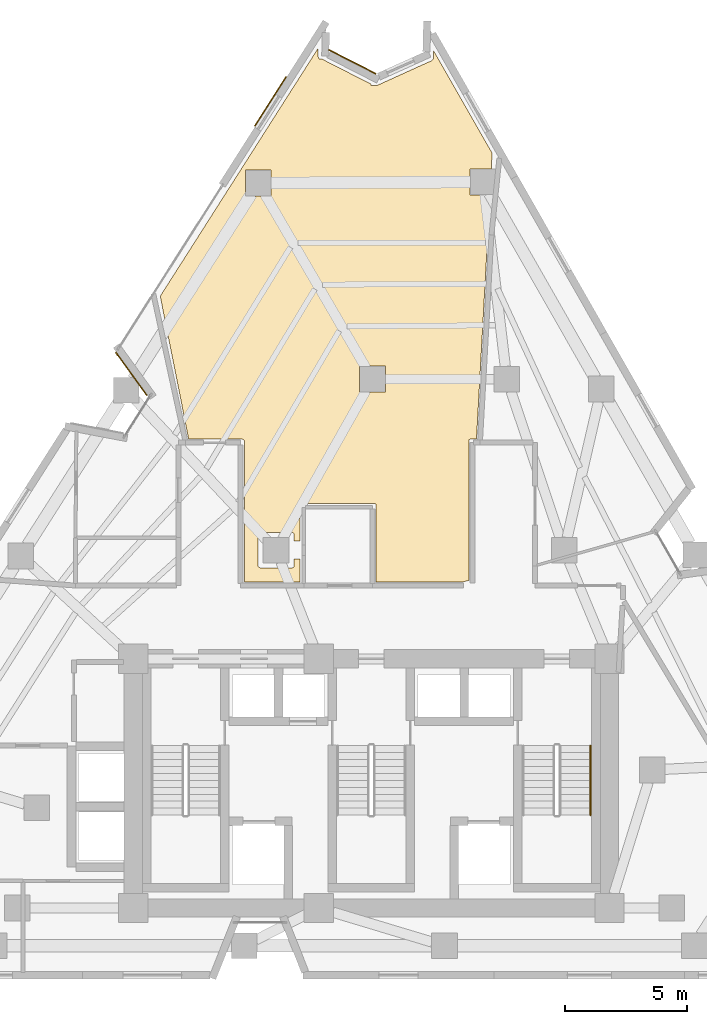
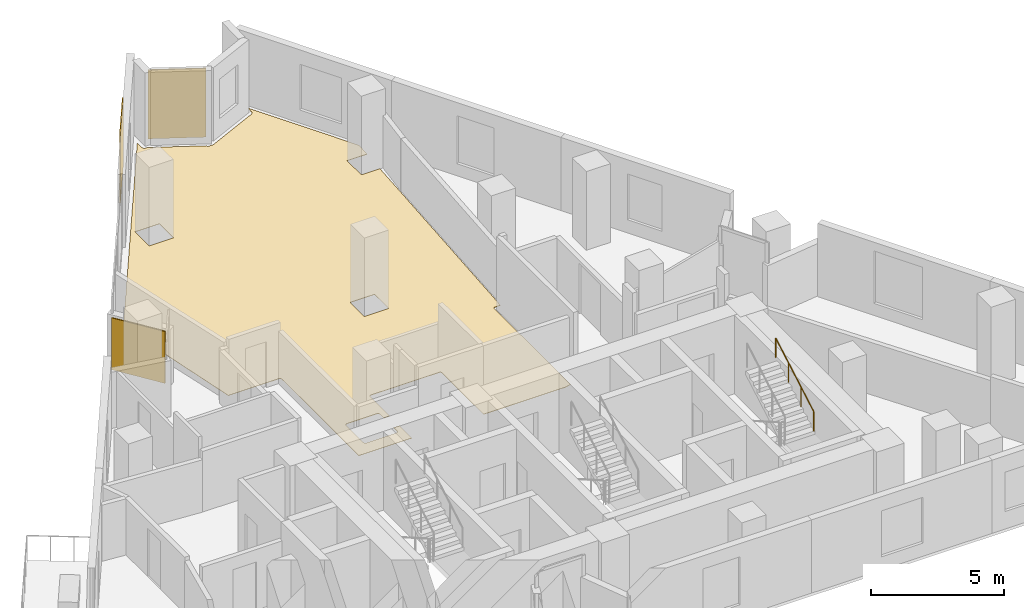
# One storey, part 11 of 11: 4 coverings, 1 railing.
"""IFC4 building model written with IfcOpenShell, lengths in metres."""

import ifcopenshell
import ifcopenshell.guid

model = None  # the IFC model being written
_history = None  # IfcOwnerHistory: only IFC2X3 demands one
_inside = {}  # id of a spatial element -> (the spatial element, [elements in it])
_under = {}  # id of a project, library or spatial element -> (it, [spatial elements below it])
_declared = {}  # id of a project -> (the project, [libraries it declares])
_typed = {}  # id of a type object -> (the type object, [elements of that type])
_made_of = {}  # id of a material, layer set ... -> (it, [elements and type objects made of it])


def new_model(schema):
    """Start an empty IFC model of exactly this schema.

    Asked for "IFC4X3", IfcOpenShell would pick the latest addendum, in which some entities
    have other attributes; the version numbers below select the first issue.
    IFC2X3 requires an IfcOwnerHistory on every rooted entity: one is made here for all.
    """
    global model, _history
    if schema == "IFC4X3":
        model = ifcopenshell.file(schema_version=(4, 3, 0, 0))
    else:
        model = ifcopenshell.file(schema=schema)
    _inside.clear()
    _under.clear()
    _declared.clear()
    _typed.clear()
    _made_of.clear()
    _history = None
    if model.schema == "IFC2X3":
        org = make("IfcOrganization", Name="unknown")
        user = make(
            "IfcPersonAndOrganization",
            ThePerson=make("IfcPerson", FamilyName="unknown"),
            TheOrganization=org,
        )
        app = make(
            "IfcApplication",
            ApplicationDeveloper=org,
            Version="unknown",
            ApplicationFullName="unknown",
            ApplicationIdentifier="unknown",
        )
        _history = make(
            "IfcOwnerHistory",
            OwningUser=user,
            OwningApplication=app,
            ChangeAction="ADDED",
            CreationDate=0,
        )
    return model


def make(cls, **values):
    """One entity of the class cls with the attributes given. An attribute that is None is left unset."""
    return model.create_entity(
        cls, **{name: value for name, value in values.items() if value is not None}
    )


def rooted(cls, **values):
    """An entity with a GlobalId (a new one), such as an element, a storey or a relation."""
    return make(cls, GlobalId=ifcopenshell.guid.new(), OwnerHistory=_history, **values)


def si_unit(unit_type, name, prefix=None):
    """IfcSIUnit, for example si_unit("LENGTHUNIT", "METRE", prefix="MILLI")."""
    return make("IfcSIUnit", UnitType=unit_type, Prefix=prefix, Name=name)


def assignment(units):
    """IfcUnitAssignment: the units of a project."""
    return None if units is None else make("IfcUnitAssignment", Units=units)


def point(xyz):
    """IfcCartesianPoint."""
    return None if xyz is None else make("IfcCartesianPoint", Coordinates=xyz)


def direction(xyz):
    """IfcDirection."""
    return None if xyz is None else make("IfcDirection", DirectionRatios=xyz)


def frame(location, z_axis=None, x_axis=None):
    """IfcAxis2Placement3D, a coordinate frame: its origin and axes. An axis left out is left unset."""
    return make(
        "IfcAxis2Placement3D",
        Location=point(location),
        Axis=direction(z_axis),
        RefDirection=direction(x_axis),
    )


def frame_2d(location, x_axis=None):
    """IfcAxis2Placement2D, a coordinate frame in the plane: its origin and x axis."""
    return make(
        "IfcAxis2Placement2D", Location=point(location), RefDirection=direction(x_axis)
    )


def origin():
    """The frame at (0, 0, 0) with its axes left unset."""
    return frame((0.0, 0.0, 0.0))


def origin_2d():
    """The frame at (0, 0) in the plane with its x axis left unset."""
    return frame_2d((0.0, 0.0))


def place(relative_to, where):
    """IfcLocalPlacement: puts the frame where relative to a parent placement (None: the world)."""
    return make(
        "IfcLocalPlacement", PlacementRelTo=relative_to, RelativePlacement=where
    )


def context(
    kind, dimensions, precision=None, world=None, true_north=None, identifier=None
):
    """IfcGeometricRepresentationContext, for example the 3D "Model" context."""
    return make(
        "IfcGeometricRepresentationContext",
        ContextIdentifier=identifier,
        ContextType=kind,
        CoordinateSpaceDimension=dimensions,
        Precision=precision,
        WorldCoordinateSystem=world,
        TrueNorth=true_north,
    )


def subcontext(parent, identifier, kind, view, scale=None):
    """IfcGeometricRepresentationSubContext, for example "Body" below "Model"."""
    return make(
        "IfcGeometricRepresentationSubContext",
        ContextIdentifier=identifier,
        ContextType=kind,
        ParentContext=parent,
        TargetScale=scale,
        TargetView=view,
    )


def project(units=None, contexts=None):
    """IfcProject with its units and contexts."""
    return rooted(
        "IfcProject",
        Name="project",
        RepresentationContexts=contexts,
        UnitsInContext=assignment(units),
    )


def spatial(cls, under=None, at=None, **own):
    """A site, building, storey or space (cls), placed at a placement, below another one or the project."""
    s = rooted(cls, ObjectPlacement=at, **own)
    if under is not None:
        _under.setdefault(under.id(), (under, []))[1].append(s)
    return s


def polyline(points):
    """IfcPolyline through the points."""
    return make("IfcPolyline", Points=[point(p) for p in points])


def profile(cls, at=None, kind="AREA", **sizes):
    """A parametric profile (cls). Its sizes go by their IFC names, for example OverallWidth=200.0."""
    return make(cls, ProfileType=kind, Position=at, **sizes)


def rectangle(**sizes):
    """IfcRectangleProfileDef."""
    return profile("IfcRectangleProfileDef", **sizes)


def circle(**sizes):
    """IfcCircleProfileDef."""
    return profile("IfcCircleProfileDef", **sizes)


def outline(outer, holes=None, kind="AREA"):
    """IfcArbitraryClosedProfileDef: a profile drawn as a closed curve; with holes, ...WithVoids."""
    if holes is None:
        return make("IfcArbitraryClosedProfileDef", ProfileType=kind, OuterCurve=outer)
    return make(
        "IfcArbitraryProfileDefWithVoids",
        ProfileType=kind,
        OuterCurve=outer,
        InnerCurves=holes,
    )


def extrude(swept, where, along, depth):
    """IfcExtrudedAreaSolid: the profile swept, set in the frame where, extruded along a direction by depth."""
    return make(
        "IfcExtrudedAreaSolid",
        SweptArea=swept,
        Position=where,
        ExtrudedDirection=direction(along),
        Depth=depth,
    )


def shape(context_of_items, identifier, shape_type, items):
    """IfcShapeRepresentation: the items that make up one representation, for example the "Body"."""
    return make(
        "IfcShapeRepresentation",
        ContextOfItems=context_of_items,
        RepresentationIdentifier=identifier,
        RepresentationType=shape_type,
        Items=items,
    )


def material(Name=None, Category=None):
    """IfcMaterial."""
    return make("IfcMaterial", Name=Name, Category=Category)


def layer(
    of_material, thickness, ventilated=None, Name=None, Category=None, Priority=None
):
    """IfcMaterialLayer: one layer of a wall or slab, of a material (None: an air gap)."""
    return make(
        "IfcMaterialLayer",
        Material=of_material,
        LayerThickness=thickness,
        IsVentilated=ventilated,
        Name=Name,
        Category=Category,
        Priority=Priority,
    )


def layer_set(layers, Name=None):
    """IfcMaterialLayerSet."""
    return make("IfcMaterialLayerSet", MaterialLayers=layers, LayerSetName=Name)


def made_of(thing, what):
    """Note that an element or type object is made of a material, layer set ...; save() writes the relation."""
    if what is not None:
        _made_of.setdefault(what.id(), (what, []))[1].append(thing)
    return thing


def type_object(cls, material=None, **own):
    """A type object (cls), such as IfcWallType, which elements share."""
    return made_of(rooted(cls, **own), material)


def element(
    cls,
    number,
    at=None,
    inside=None,
    cuts=None,
    type_object=None,
    material=None,
    context=None,
    identifier="Body",
    shape_type=None,
    held_by="IfcProductDefinitionShape",
    body=None,
    shapes=None,
    **own,
):
    """One element of the class cls, such as IfcWall. Its Tag is "e" and its number.

    at: its placement. inside: the storey or other place that contains it. cuts: it is an
    opening in that element (IfcRelVoidsElement). A single representation is given by context,
    identifier, shape_type and body (its items); several are given by shapes. held_by: the class
    of the entity that holds the representations. save() writes the other relations.
    """
    e = rooted(cls, Tag="e%d" % number, ObjectPlacement=at, **own)
    if body is not None:
        shapes = [shape(context, identifier, shape_type, body)]
    if shapes is not None:
        e.Representation = make(held_by, Representations=shapes)
    if inside is not None:
        _inside.setdefault(inside.id(), (inside, []))[1].append(e)
    if cuts is not None:
        rooted(
            "IfcRelVoidsElement", RelatingBuildingElement=cuts, RelatedOpeningElement=e
        )
    if type_object is not None:
        _typed.setdefault(type_object.id(), (type_object, []))[1].append(e)
    return made_of(e, material)


def aggregate(whole, parts):
    """IfcRelAggregates: a whole, such as a stair, and the parts it consists of."""
    return rooted("IfcRelAggregates", RelatingObject=whole, RelatedObjects=parts)


def save(model, path):
    """Write the relations noted so far, then the file.

    IfcRelAggregates (storeys below a building ...), IfcRelContainedInSpatialStructure (elements
    in a storey), IfcRelDefinesByType, IfcRelAssociatesMaterial and IfcRelDeclares: one each for
    every whole, place, type object, material and project.
    """
    for whole, parts in _under.values():
        aggregate(whole, parts)
    for where, things in _inside.values():
        rooted(
            "IfcRelContainedInSpatialStructure",
            RelatedElements=things,
            RelatingStructure=where,
        )
    for kind, things in _typed.values():
        rooted("IfcRelDefinesByType", RelatedObjects=things, RelatingType=kind)
    for what, things in _made_of.values():
        rooted("IfcRelAssociatesMaterial", RelatedObjects=things, RelatingMaterial=what)
    for by, libraries in _declared.values():
        rooted("IfcRelDeclares", RelatingContext=by, RelatedDefinitions=libraries)
    model.write(path)


model = new_model("IFC4")

# Units and contexts
model_context = context("Model", 3, precision=1e-05, world=origin(), true_north=direction((0.0, 1.0)))
body_context = subcontext(model_context, "Body", "Model", "MODEL_VIEW")
ifc_project = project(units=[si_unit("LENGTHUNIT", "METRE"), si_unit("AREAUNIT", "SQUARE_METRE"), si_unit("VOLUMEUNIT", "CUBIC_METRE"), si_unit("PLANEANGLEUNIT", "RADIAN"), si_unit("MASSUNIT", "GRAM", prefix="KILO")], contexts=[model_context])

# Site, building, storey
site_placement = place(None, origin())
site = spatial("IfcSite", under=ifc_project, at=site_placement, CompositionType="ELEMENT")
building_placement = place(site_placement, origin())
building = spatial("IfcBuilding", under=site, at=building_placement, Name="Almagre Mirador Tower", CompositionType="ELEMENT")
storey_placement = place(building_placement, frame((0.0, 0.0, 142.800048828125)))
storey = spatial("IfcBuildingStorey", under=building, at=storey_placement, Name="L36", CompositionType="ELEMENT", Elevation=142.800048828125)

# Coverings
ifc_material_1 = material(Name="Almagre terracotta architectural cladding", Category="masonry")
ifc_layer_1 = layer(ifc_material_1, 0.044921875)
ifc_layer_set_1 = layer_set([ifc_layer_1], Name="Almagre terracotta architectural cladding")
covering_type_1 = type_object("IfcCoveringType", Name="COV-CLAD-ALMAGRE", PredefinedType="CLADDING", material=ifc_layer_set_1)
covering_1_placement = place(storey_placement, frame((27.47412109375, 26.416015625, 0.099853515625), z_axis=(0.0, 0.0, 1.0), x_axis=(-0.585226601767, 0.810869795087, 0.0)))
element("IfcCovering", 1, at=covering_1_placement, inside=storey, type_object=covering_type_1, Name="L36 almagre terracotta pier cladding", PredefinedType="CLADDING", context=body_context, shape_type="SweptSolid", body=[
    extrude(rectangle(XDim=2.194091796875, YDim=0.044921875, at=origin_2d()), origin(), (0.0, 0.0, 1.0), 2.375),
])
covering_2_placement = place(storey_placement, frame((33.177001953125, 37.575927734375, 0.10009765625), z_axis=(0.0, 0.0, 1.0), x_axis=(0.537108235069, 0.843513333517, 0.0)))
element("IfcCovering", 2, at=covering_2_placement, inside=storey, type_object=covering_type_1, Name="L36 almagre terracotta pier cladding", PredefinedType="CLADDING", context=body_context, shape_type="SweptSolid", body=[
    extrude(rectangle(XDim=2.39990234375, YDim=0.044921875, at=origin_2d()), origin(), (0.0, 0.0, 1.0), 3.14990234375),
])
covering_3_placement = place(storey_placement, frame((36.5205078125, 39.197509765625, 0.10009765625), z_axis=(0.0, 0.0, 1.0), x_axis=(0.890395600327, -0.455187516216, 0.0)))
element("IfcCovering", 3, at=covering_3_placement, inside=storey, type_object=covering_type_1, Name="L36 almagre terracotta pier cladding", PredefinedType="CLADDING", context=body_context, shape_type="SweptSolid", body=[
    extrude(rectangle(XDim=2.173095703125, YDim=0.044921875, at=origin_2d()), origin(), (0.0, 0.0, 1.0), 3.14990234375),
])
ifc_material_2 = material(Name="Engineered white oak flooring", Category="wood")
ifc_layer_2 = layer(ifc_material_2, 0.01806640625)
ifc_layer_set_2 = layer_set([ifc_layer_2], Name="Engineered white oak flooring")
covering_type_2 = type_object("IfcCoveringType", Name="COV-FLR-OAK-18", PredefinedType="FLOORING", material=ifc_layer_set_2)
covering_4_placement = place(storey_placement, origin())
element("IfcCovering", 4, at=covering_4_placement, inside=storey, type_object=covering_type_2, Name="L36 L36 Residents Reading Gallery J finish flooring", PredefinedType="FLOORING", context=body_context, shape_type="SweptSolid", body=[
    extrude(outline(polyline([(35.125, 39.751953125), (35.1201171875, 39.56201171875), (35.1201171875, 39.389892578125), (35.1298828125, 39.389892578125), (35.1298828125, 39.3701171875), (35.139892578125, 39.3701171875), (35.139892578125, 39.35009765625), (35.14990234375, 39.35009765625), (35.14990234375, 39.320068359375), (35.159912109375, 39.320068359375), (35.159912109375, 39.31005859375), (35.169921875, 39.31005859375), (35.169921875, 39.300048828125), (35.2939453125, 39.300048828125), (36.261962890625, 38.805908203125), (37.280029296875, 38.287109375), (37.280029296875, 38.219970703125), (37.52197265625, 38.219970703125), (39.701904296875, 39.2099609375), (39.741943359375, 39.2099609375), (39.85009765625, 39.318115234375), (39.85009765625, 39.39794921875), (39.85595703125, 39.638916015625), (42.248046875, 35.4541015625), (42.212890625, 34.806884765625), (41.35205078125, 34.806884765625), (41.35205078125, 33.7470703125), (42.156982421875, 33.7470703125), (42.070068359375, 32.117919921875), (41.60791015625, 23.75), (41.340087890625, 23.75), (41.340087890625, 23.739990234375), (41.320068359375, 23.739990234375), (41.320068359375, 23.72998046875), (41.31005859375, 23.72998046875), (41.31005859375, 23.7099609375), (41.300048828125, 23.7099609375), (41.300048828125, 17.965087890625), (41.06005859375, 17.89990234375), (37.5, 17.89990234375), (37.5, 21.06005859375), (37.489990234375, 21.06005859375), (37.489990234375, 21.080078125), (37.47998046875, 21.080078125), (37.47998046875, 21.090087890625), (37.4599609375, 21.090087890625), (37.4599609375, 21.10009765625), (34.43994140625, 21.10009765625), (34.43994140625, 21.090087890625), (34.419921875, 21.090087890625), (34.419921875, 21.080078125), (34.409912109375, 21.080078125), (34.409912109375, 21.070068359375), (34.39990234375, 21.070068359375), (34.39990234375, 21.050048828125), (34.389892578125, 21.050048828125), (34.389892578125, 19.570068359375), (34.139892578125, 19.570068359375), (34.139892578125, 19.860107421875), (34.1298828125, 19.860107421875), (34.1298828125, 19.8798828125), (34.1201171875, 19.8798828125), (34.1201171875, 19.89990234375), (34.110107421875, 19.89990234375), (34.110107421875, 19.909912109375), (34.090087890625, 19.909912109375), (34.090087890625, 19.919921875), (34.070068359375, 19.919921875), (34.070068359375, 19.929931640625), (32.739990234375, 19.929931640625), (32.739990234375, 19.919921875), (32.719970703125, 19.919921875), (32.719970703125, 19.909912109375), (32.699951171875, 19.909912109375), (32.699951171875, 19.89990234375), (32.68994140625, 19.89990234375), (32.68994140625, 19.8798828125), (32.679931640625, 19.8798828125), (32.679931640625, 19.860107421875), (32.669921875, 19.860107421875), (32.669921875, 18.5400390625), (32.679931640625, 18.5400390625), (32.679931640625, 18.52001953125), (32.68994140625, 18.52001953125), (32.68994140625, 18.5), (32.699951171875, 18.5), (32.699951171875, 18.489990234375), (32.719970703125, 18.489990234375), (32.719970703125, 18.47998046875), (32.739990234375, 18.47998046875), (32.739990234375, 18.469970703125), (34.070068359375, 18.469970703125), (34.070068359375, 18.47998046875), (34.090087890625, 18.47998046875), (34.090087890625, 18.489990234375), (34.110107421875, 18.489990234375), (34.110107421875, 18.5), (34.1201171875, 18.5), (34.1201171875, 18.52001953125), (34.1298828125, 18.52001953125), (34.1298828125, 18.5400390625), (34.139892578125, 18.5400390625), (34.139892578125, 18.830078125), (34.389892578125, 18.830078125), (34.389892578125, 17.89990234375), (32.10009765625, 17.89990234375), (32.10009765625, 23.679931640625), (32.090087890625, 23.679931640625), (32.090087890625, 23.699951171875), (32.080078125, 23.699951171875), (32.080078125, 23.719970703125), (32.070068359375, 23.719970703125), (32.070068359375, 23.72998046875), (32.050048828125, 23.72998046875), (32.050048828125, 23.739990234375), (32.030029296875, 23.739990234375), (32.030029296875, 23.75), (29.822998046875, 23.75), (28.658935546875, 29.60009765625), (30.22607421875, 32.05908203125), (35.125, 39.751953125)]), holes=[polyline([(32.14208984375, 33.697021484375), (32.14208984375, 34.757080078125), (33.201904296875, 34.757080078125), (33.201904296875, 33.697021484375), (32.14208984375, 33.697021484375)]), polyline([(36.820068359375, 25.669921875), (36.820068359375, 26.72998046875), (37.8798828125, 26.72998046875), (37.8798828125, 25.669921875), (36.820068359375, 25.669921875)])]), origin(), (0.0, 0.0, 1.0), 0.01806640625),
])

# Railing
ifc_material_3 = material(Name="Brushed stainless steel", Category="steel")
railing_type = type_object("IfcRailingType", Name="RLG-HND-915", PredefinedType="HANDRAIL", material=ifc_material_3)
railing_placement = place(storey_placement, frame((46.27490234375, 8.35009765625, 1.963623046875)))
element("IfcRailing", 5, at=railing_placement, inside=storey, type_object=railing_type, Name="L36 ST-3 stair handrail 2", PredefinedType="HANDRAIL", context=body_context, shape_type="SweptSolid", body=[
    extrude(circle(Radius=0.02392578125, at=origin_2d()), frame((0.0, 0.0, 0.89111328125), z_axis=(0.0, 0.867226363773, 0.497914082927), x_axis=(-1.0, 0.0, 0.0)), (0.0, 0.0, 1.0), 3.2861328125),
    extrude(circle(Radius=0.02099609375, at=origin_2d()), origin(), (0.0, 0.0, 1.0), 0.866943359375),
    extrude(circle(Radius=0.02099609375, at=origin_2d()), frame((0.0, 0.949951171875, 0.54541015625)), (0.0, 0.0, 1.0), 0.866943359375),
    extrude(circle(Radius=0.02099609375, at=origin_2d()), frame((0.0, 1.89990234375, 1.0908203125)), (0.0, 0.0, 1.0), 0.866943359375),
    extrude(circle(Radius=0.02099609375, at=origin_2d()), frame((0.0, 2.849853515625, 1.63623046875)), (0.0, 0.0, 1.0), 0.866943359375),
])

save(model, "model.ifc")
